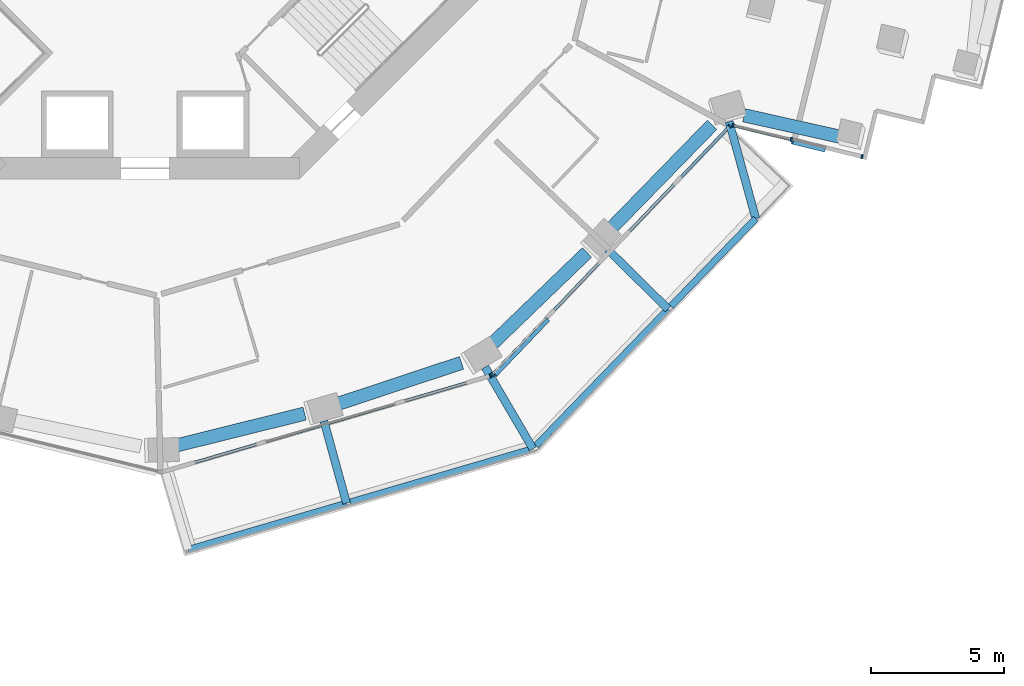
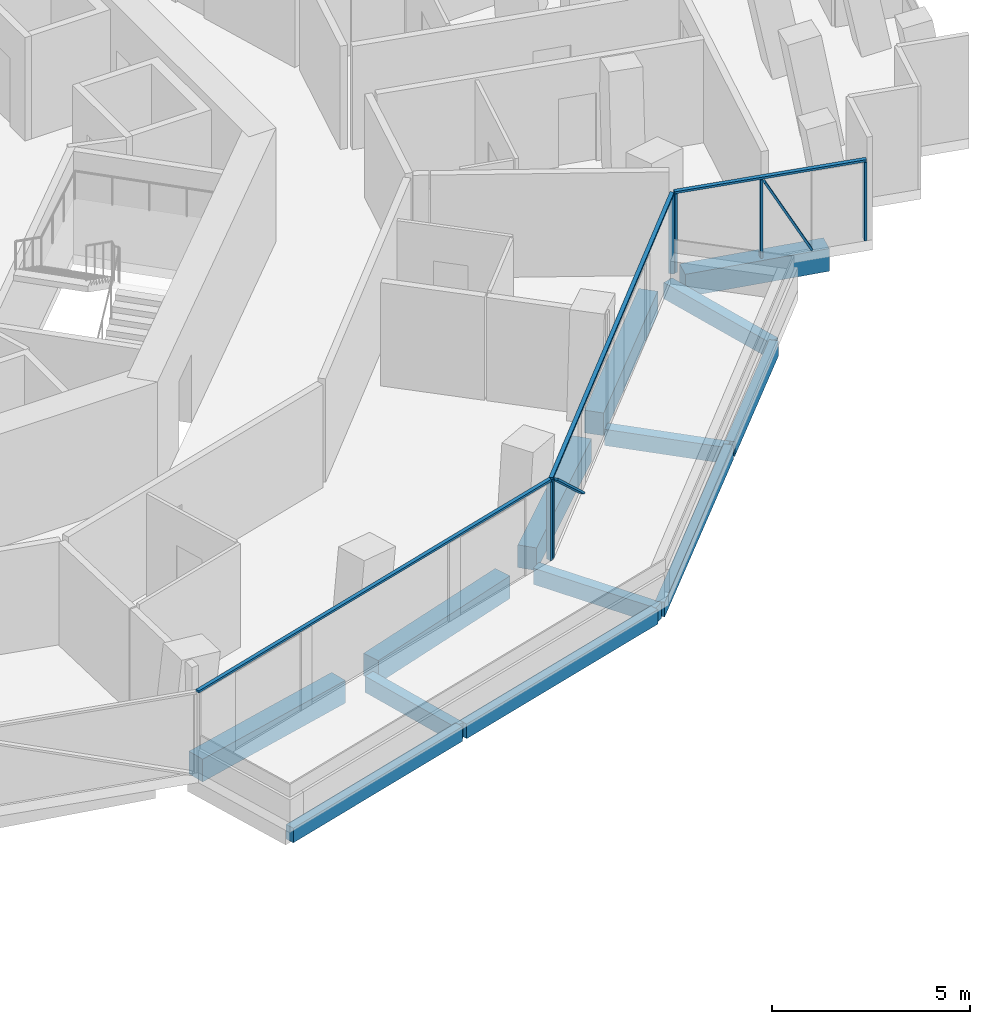
# One storey, part 5 of 25: 13 beams, 11 members, 3 elements without a shape of their own.
"""IFC4 building model written with IfcOpenShell, lengths in metres."""

from ifc_helpers import new_model, si_unit, direction, frame, origin, origin_2d, place, context, subcontext, project, spatial, rectangle, extrude, material, layer, layer_set, material_profile, profile_set, type_object, element, aggregate, save


model = new_model("IFC4")

# Units and contexts
model_context = context("Model", 3, precision=1e-05, world=origin(), true_north=direction((0.0, 1.0)))
body_context = subcontext(model_context, "Body", "Model", "MODEL_VIEW")
ifc_project = project(units=[si_unit("LENGTHUNIT", "METRE"), si_unit("AREAUNIT", "SQUARE_METRE"), si_unit("VOLUMEUNIT", "CUBIC_METRE"), si_unit("PLANEANGLEUNIT", "RADIAN"), si_unit("MASSUNIT", "GRAM", prefix="KILO")], contexts=[model_context])

# Site, building, storey
site_placement = place(None, origin())
site = spatial("IfcSite", under=ifc_project, at=site_placement, CompositionType="ELEMENT")
building_placement = place(site_placement, origin())
building = spatial("IfcBuilding", under=site, at=building_placement, Name="Verdalira Terraces Hotel", CompositionType="ELEMENT")
storey_placement = place(building_placement, frame((0.0, 0.0, 100.0)))
storey = spatial("IfcBuildingStorey", under=building, at=storey_placement, Name="L23", CompositionType="ELEMENT", Elevation=100.0)

# Beams
ifc_material_1 = material(Name="Concrete C40", Category="concrete")
ifc_material_profile_1 = material_profile(ifc_material_1, rectangle(XDim=0.300049, YDim=0.5, at=origin_2d()), Name="RC 300X500")
ifc_profile_set_1 = profile_set([ifc_material_profile_1], Name="Concrete C40")
beam_type_1 = type_object("IfcBeamType", Name="Balcony cantilever beam RC 300X500 C40", PredefinedType="BEAM", material=ifc_profile_set_1)
beam_1_placement = place(storey_placement, frame((6.719482, -23.100586, -0.560059), z_axis=(0.264904734, -0.964274588, 0.0), x_axis=(0.964274588, 0.264904734, 0.0)))
element("IfcBeam", 1, at=beam_1_placement, inside=storey, type_object=beam_type_1, Name="Balcony cantilever beam R26-2", PredefinedType="BEAM", context=body_context, shape_type="SweptSolid", body=[
    extrude(rectangle(XDim=0.300049, YDim=0.5, at=origin_2d()), origin(), (0.0, 0.0, 1.0), 3.200684),
])
beam_2_placement = place(storey_placement, frame((12.772461, -21.073975, -0.560059), z_axis=(0.505432317, -0.862866254, 0.0), x_axis=(0.862866254, 0.505432317, 0.0)))
element("IfcBeam", 2, at=beam_2_placement, inside=storey, type_object=beam_type_1, Name="Balcony cantilever beam R26-3", PredefinedType="BEAM", context=body_context, shape_type="SweptSolid", body=[
    extrude(rectangle(XDim=0.300049, YDim=0.5, at=origin_2d()), origin(), (0.0, 0.0, 1.0), 3.556641),
])
beam_3_placement = place(storey_placement, frame((17.369385, -16.645996, -0.560059), z_axis=(0.711554698, -0.702630708, 0.0), x_axis=(0.702630708, 0.711554698, 0.0)))
element("IfcBeam", 3, at=beam_3_placement, inside=storey, type_object=beam_type_1, Name="Balcony cantilever beam R26-4", PredefinedType="BEAM", context=body_context, shape_type="SweptSolid", body=[
    extrude(rectangle(XDim=0.300049, YDim=0.5, at=origin_2d()), origin(), (0.0, 0.0, 1.0), 3.200928),
])
beam_4_placement = place(storey_placement, frame((21.940186, -11.854004, -0.560059), z_axis=(0.264870487, -0.964283996, 0.0), x_axis=(0.964283996, 0.264870487, 0.0)))
element("IfcBeam", 4, at=beam_4_placement, inside=storey, type_object=beam_type_1, Name="Balcony cantilever beam R26-5", PredefinedType="BEAM", context=body_context, shape_type="SweptSolid", body=[
    extrude(rectangle(XDim=0.300049, YDim=0.5, at=origin_2d()), origin(), (0.0, 0.0, 1.0), 3.77002),
])
ifc_material_2 = material(Name="Concrete C40", Category="concrete")
ifc_material_profile_2 = material_profile(ifc_material_2, rectangle(XDim=0.25, YDim=0.449951, at=origin_2d()), Name="RC 250X450")
ifc_profile_set_2 = profile_set([ifc_material_profile_2], Name="Concrete C40")
beam_type_2 = type_object("IfcBeamType", Name="Balcony edge beam RC 250X450 C40", PredefinedType="BEAM", material=ifc_profile_set_2)
beam_5_placement = place(storey_placement, frame((1.617188, -27.929199, -0.534912), z_axis=(0.959708403, 0.280997832, 0.0), x_axis=(-0.280997832, 0.959708403, 0.0)))
element("IfcBeam", 5, at=beam_5_placement, inside=storey, type_object=beam_type_2, Name="Balcony edge beam R26-1", PredefinedType="BEAM", context=body_context, shape_type="SweptSolid", body=[
    extrude(rectangle(XDim=0.25, YDim=0.449951, at=origin_2d()), origin(), (0.0, 0.0, 1.0), 6.199951),
])
beam_6_placement = place(storey_placement, frame((7.711182, -26.14502, -0.534912), z_axis=(0.959941305, 0.28020116, 0.0), x_axis=(-0.28020116, 0.959941305, 0.0)))
element("IfcBeam", 6, at=beam_6_placement, inside=storey, type_object=beam_type_2, Name="Balcony edge beam R26-2", PredefinedType="BEAM", context=body_context, shape_type="SweptSolid", body=[
    extrude(rectangle(XDim=0.25, YDim=0.449951, at=origin_2d()), origin(), (0.0, 0.0, 1.0), 6.990479),
])
beam_7_placement = place(storey_placement, frame((14.678223, -24.031006, -0.534912), z_axis=(0.695308738, 0.718711179, 0.0), x_axis=(-0.718711179, 0.695308738, 0.0)))
element("IfcBeam", 7, at=beam_7_placement, inside=storey, type_object=beam_type_2, Name="Balcony edge beam R26-3", PredefinedType="BEAM", context=body_context, shape_type="SweptSolid", body=[
    extrude(rectangle(XDim=0.25, YDim=0.449951, at=origin_2d()), origin(), (0.0, 0.0, 1.0), 7.145996),
])
beam_8_placement = place(storey_placement, frame((19.751221, -18.787109, -0.534912), z_axis=(0.694974399, 0.719034481, 0.0), x_axis=(-0.719034481, 0.694974399, 0.0)))
element("IfcBeam", 8, at=beam_8_placement, inside=storey, type_object=beam_type_2, Name="Balcony edge beam R26-4", PredefinedType="BEAM", context=body_context, shape_type="SweptSolid", body=[
    extrude(rectangle(XDim=0.25, YDim=0.449951, at=origin_2d()), origin(), (0.0, 0.0, 1.0), 4.586426),
])

# Curtain wall, member
ifc_material_3 = material(Name="Clear glass", Category="glass")
ifc_layer_1 = layer(ifc_material_3, 0.14990234375)
ifc_layer_set_1 = layer_set([ifc_layer_1], Name="CW1 curtain wall")
curtain_wall_type_1 = type_object("IfcCurtainWallType", Name="CW1 curtain wall", PredefinedType="NOTDEFINED", material=ifc_layer_set_1)
curtain_wall_1_placement = place(storey_placement, origin())
curtain_wall_1 = element("IfcCurtainWall", 9, at=curtain_wall_1_placement, inside=storey, type_object=curtain_wall_type_1, Name="CW1 curtain wall L23 edge 26", PredefinedType="NOTDEFINED")
ifc_material_4 = material(Name="Terracotta frame", Category="masonry")
ifc_material_profile_3 = material_profile(ifc_material_4, rectangle(XDim=0.060059, YDim=0.149902, at=origin_2d()), Name="MU 60x150")
ifc_profile_set_3 = profile_set([ifc_material_profile_3], Name="Terracotta frame")
member_type_1 = type_object("IfcMemberType", Name="CW1 mullion 60x150", PredefinedType="MULLION", material=ifc_profile_set_3)
member_1_placement = place(storey_placement, frame((12.966309, -21.4021, 0.0), z_axis=(0.0, 0.0, 1.0), x_axis=(0.959707262, 0.281001727, 0.0)))
member_1 = element("IfcMember", 10, at=member_1_placement, type_object=member_type_1, Name="CW1 mullion", PredefinedType="MULLION", context=body_context, shape_type="SweptSolid", body=[
    extrude(rectangle(XDim=0.060059, YDim=0.149902, at=origin_2d()), origin(), (0.0, 0.0, 1.0), 2.425049),
])

# Curtain wall, members
curtain_wall_2_placement = place(storey_placement, origin())
curtain_wall_2 = element("IfcCurtainWall", 11, at=curtain_wall_2_placement, inside=storey, type_object=curtain_wall_type_1, Name="CW1 curtain wall L23 edge 27", PredefinedType="NOTDEFINED")
member_2_placement = place(storey_placement, frame((13.049072, -21.351807, 0.0), z_axis=(0.0, 0.0, 1.0), x_axis=(0.690630006, 0.723208265, 0.0)))
member_2 = element("IfcMember", 12, at=member_2_placement, type_object=member_type_1, Name="CW1 mullion", PredefinedType="MULLION", context=body_context, shape_type="SweptSolid", body=[
    extrude(rectangle(XDim=0.060059, YDim=0.149902, at=origin_2d()), origin(), (0.0, 0.0, 1.0), 2.425049),
])
member_3_placement = place(storey_placement, frame((21.958008, -12.022461, 0.0), z_axis=(0.0, 0.0, 1.0), x_axis=(0.690630006, 0.723208265, 0.0)))
member_3 = element("IfcMember", 13, at=member_3_placement, type_object=member_type_1, Name="CW1 mullion", PredefinedType="MULLION", context=body_context, shape_type="SweptSolid", body=[
    extrude(rectangle(XDim=0.060059, YDim=0.149902, at=origin_2d()), origin(), (0.0, 0.0, 1.0), 2.425049),
])

# Member
ifc_material_5 = material(Name="Terracotta frame", Category="masonry")
ifc_material_profile_4 = material_profile(ifc_material_5, rectangle(XDim=0.110107, YDim=0.064941, at=origin_2d()), Name="TR 65x110")
ifc_profile_set_4 = profile_set([ifc_material_profile_4], Name="Terracotta frame")
member_type_2 = type_object("IfcMemberType", Name="CW1 transom 65x110", PredefinedType="USERDEFINED", material=ifc_profile_set_4)
member_4_placement = place(storey_placement, frame((0.595947, -25.02417, 2.45752), z_axis=(0.959709321, 0.280994696, 0.0), x_axis=(-0.280994696, 0.959709321, 0.0)))
member_4 = element("IfcMember", 14, at=member_4_placement, type_object=member_type_2, Name="CW1 transom", ObjectType="TRANSOM", PredefinedType="USERDEFINED", context=body_context, shape_type="SweptSolid", body=[
    extrude(rectangle(XDim=0.110107, YDim=0.064941, at=origin_2d()), origin(), (0.0, 0.0, 1.0), 12.919678),
])

aggregate(curtain_wall_1, [member_1, member_4])

member_5_placement = place(storey_placement, frame((13.02832, -21.373535, 2.45752), z_axis=(0.690633443, 0.723204983, 0.0), x_axis=(-0.723204983, 0.690633443, 0.0)))
member_5 = element("IfcMember", 15, at=member_5_placement, type_object=member_type_2, Name="CW1 transom", ObjectType="TRANSOM", PredefinedType="USERDEFINED", context=body_context, shape_type="SweptSolid", body=[
    extrude(rectangle(XDim=0.110107, YDim=0.064941, at=origin_2d()), origin(), (0.0, 0.0, 1.0), 12.959717),
])

# Curtain wall, members
ifc_material_6 = material(Name="Clear glass", Category="glass")
ifc_layer_2 = layer(ifc_material_6, 0.14990234375)
ifc_layer_set_2 = layer_set([ifc_layer_2], Name="CW2 curtain wall")
curtain_wall_type_2 = type_object("IfcCurtainWallType", Name="CW2 curtain wall", PredefinedType="NOTDEFINED", material=ifc_layer_set_2)
curtain_wall_3_placement = place(storey_placement, origin())
curtain_wall_3 = element("IfcCurtainWall", 16, at=curtain_wall_3_placement, inside=storey, type_object=curtain_wall_type_2, Name="CW2 curtain wall L23 edge 28", PredefinedType="NOTDEFINED")
ifc_material_7 = material(Name="Terracotta frame", Category="masonry")
ifc_material_profile_5 = material_profile(ifc_material_7, rectangle(XDim=0.070068, YDim=0.149902, at=origin_2d()), Name="MU 70x150")
ifc_profile_set_5 = profile_set([ifc_material_profile_5], Name="Terracotta frame")
member_type_3 = type_object("IfcMemberType", Name="CW2 mullion 70x150", PredefinedType="MULLION", material=ifc_profile_set_5)
member_6_placement = place(storey_placement, frame((22.084717, -11.988037, 0.0), z_axis=(0.0, 0.0, 1.0), x_axis=(0.971631733, -0.236498997, 0.0)))
member_6 = element("IfcMember", 17, at=member_6_placement, type_object=member_type_3, Name="CW2 mullion", PredefinedType="MULLION", context=body_context, shape_type="SweptSolid", body=[
    extrude(rectangle(XDim=0.070068, YDim=0.149902, at=origin_2d()), origin(), (0.0, 0.0, 1.0), 2.425049),
])
member_7_placement = place(storey_placement, frame((24.273926, -12.520996, 0.0), z_axis=(0.0, 0.0, 1.0), x_axis=(0.971631733, -0.236498997, 0.0)))
member_7 = element("IfcMember", 18, at=member_7_placement, type_object=member_type_3, Name="CW2 mullion", PredefinedType="MULLION", context=body_context, shape_type="SweptSolid", body=[
    extrude(rectangle(XDim=0.070068, YDim=0.149902, at=origin_2d()), origin(), (0.0, 0.0, 1.0), 2.425049),
])
member_8_placement = place(storey_placement, frame((26.931396, -13.167725, 0.0), z_axis=(0.0, 0.0, 1.0), x_axis=(0.971631733, -0.236498997, 0.0)))
member_8 = element("IfcMember", 19, at=member_8_placement, type_object=member_type_3, Name="CW2 mullion", PredefinedType="MULLION", context=body_context, shape_type="SweptSolid", body=[
    extrude(rectangle(XDim=0.070068, YDim=0.149902, at=origin_2d()), origin(), (0.0, 0.0, 1.0), 2.425049),
])
ifc_material_8 = material(Name="Terracotta frame", Category="masonry")
ifc_material_profile_6 = material_profile(ifc_material_8, rectangle(XDim=0.11499, YDim=0.064941, at=origin_2d()), Name="TR 65x115")
ifc_profile_set_6 = profile_set([ifc_material_profile_6], Name="Terracotta frame")
member_type_4 = type_object("IfcMemberType", Name="CW2 transom 65x115", PredefinedType="USERDEFINED", material=ifc_profile_set_6)
member_9_placement = place(storey_placement, frame((22.050537, -11.979736, 2.45752), z_axis=(0.971631343, -0.2365006, 0.0), x_axis=(0.2365006, 0.971631343, 0.0)))
member_9 = element("IfcMember", 20, at=member_9_placement, type_object=member_type_4, Name="CW2 transom", ObjectType="TRANSOM", PredefinedType="USERDEFINED", context=body_context, shape_type="SweptSolid", body=[
    extrude(rectangle(XDim=0.11499, YDim=0.064941, at=origin_2d()), origin(), (0.0, 0.0, 1.0), 5.05835),
])

# Member
ifc_material_9 = material(Name="Terracotta frame", Category="masonry")
ifc_material_profile_7 = material_profile(ifc_material_9, rectangle(XDim=0.149902, YDim=0.060059, at=origin_2d()), Name="GB 60x150")
ifc_profile_set_7 = profile_set([ifc_material_profile_7], Name="Terracotta frame")
member_type_5 = type_object("IfcMemberType", Name="Diagonal glazing bar 60x150", PredefinedType="USERDEFINED", material=ifc_profile_set_7)
member_10_placement = place(storey_placement, frame((13.154297, -21.370361, 2.400635), z_axis=(0.531685216, 0.556735013, -0.638245216), x_axis=(-0.723189212, 0.690649957, 0.0)))
member_10 = element("IfcMember", 21, at=member_10_placement, type_object=member_type_5, Name="Diagonal glazing bar", ObjectType="GLAZING BAR", PredefinedType="USERDEFINED", context=body_context, shape_type="SweptSolid", body=[
    extrude(rectangle(XDim=0.149902, YDim=0.060059, at=origin_2d()), origin(), (0.0, 0.0, 1.0), 3.723145),
])

aggregate(curtain_wall_2, [member_2, member_3, member_5, member_10])

member_11_placement = place(storey_placement, frame((24.312988, -12.624023, 2.373535), z_axis=(0.457299574, -0.111310241, -0.882319177), x_axis=(0.236502449, 0.971630893, 0.0)))
member_11 = element("IfcMember", 22, at=member_11_placement, type_object=member_type_5, Name="Diagonal glazing bar", ObjectType="GLAZING BAR", PredefinedType="USERDEFINED", context=body_context, shape_type="SweptSolid", body=[
    extrude(rectangle(XDim=0.149902, YDim=0.060059, at=origin_2d()), origin(), (0.0, 0.0, 1.0), 2.63208),
])

aggregate(curtain_wall_3, [member_6, member_7, member_8, member_9, member_11])

# Beams
ifc_material_10 = material(Name="Concrete C70", Category="concrete")
ifc_material_profile_8 = material_profile(ifc_material_10, rectangle(XDim=0.5, YDim=0.699951, at=origin_2d()), Name="RC 500X700")
ifc_profile_set_8 = profile_set([ifc_material_profile_8], Name="Concrete C70")
beam_type_3 = type_object("IfcBeamType", Name="Spandrel beam RC 500X700 C70", PredefinedType="SPANDREL", material=ifc_profile_set_8)
beam_9_placement = place(storey_placement, frame((1.125977, -24.0271, -0.659912), z_axis=(0.970533535, 0.240966093, 0.0), x_axis=(-0.240966093, 0.970533535, 0.0)))
element("IfcBeam", 23, at=beam_9_placement, inside=storey, type_object=beam_type_3, Name="Spandrel beam B17", PredefinedType="SPANDREL", context=body_context, shape_type="SweptSolid", body=[
    extrude(rectangle(XDim=0.5, YDim=0.699951, at=origin_2d()), origin(), (0.0, 0.0, 1.0), 5.015137),
])
beam_10_placement = place(storey_placement, frame((7.129395, -22.489502, -0.659912), z_axis=(0.949237116, 0.314561437, 0.0), x_axis=(-0.314561437, 0.949237116, 0.0)))
element("IfcBeam", 24, at=beam_10_placement, inside=storey, type_object=beam_type_3, Name="Spandrel beam B18", PredefinedType="SPANDREL", context=body_context, shape_type="SweptSolid", body=[
    extrude(rectangle(XDim=0.5, YDim=0.699951, at=origin_2d()), origin(), (0.0, 0.0, 1.0), 5.012207),
])
beam_11_placement = place(storey_placement, frame((12.98877, -20.245117, -0.659912), z_axis=(0.720032781, 0.693940051, 0.0), x_axis=(-0.693940051, 0.720032781, 0.0)))
element("IfcBeam", 25, at=beam_11_placement, inside=storey, type_object=beam_type_3, Name="Spandrel beam B19", PredefinedType="SPANDREL", context=body_context, shape_type="SweptSolid", body=[
    extrude(rectangle(XDim=0.5, YDim=0.699951, at=origin_2d()), origin(), (0.0, 0.0, 1.0), 5.015137),
])
beam_12_placement = place(storey_placement, frame((17.425293, -15.944336, -0.659912), z_axis=(0.698156566, 0.715945116, 0.0), x_axis=(-0.715945116, 0.698156566, 0.0)))
element("IfcBeam", 26, at=beam_12_placement, inside=storey, type_object=beam_type_3, Name="Spandrel beam B20", PredefinedType="SPANDREL", context=body_context, shape_type="SweptSolid", body=[
    extrude(rectangle(XDim=0.5, YDim=0.699951, at=origin_2d()), origin(), (0.0, 0.0, 1.0), 5.544678),
])
beam_13_placement = place(storey_placement, frame((22.503174, -11.613281, -0.659912), z_axis=(0.975891329, -0.218256993, 0.0), x_axis=(0.218256993, 0.975891329, 0.0)))
element("IfcBeam", 27, at=beam_13_placement, inside=storey, type_object=beam_type_3, Name="Spandrel beam B21", PredefinedType="SPANDREL", context=body_context, shape_type="SweptSolid", body=[
    extrude(rectangle(XDim=0.5, YDim=0.699951, at=origin_2d()), origin(), (0.0, 0.0, 1.0), 3.818848),
])

save(model, "model.ifc")
